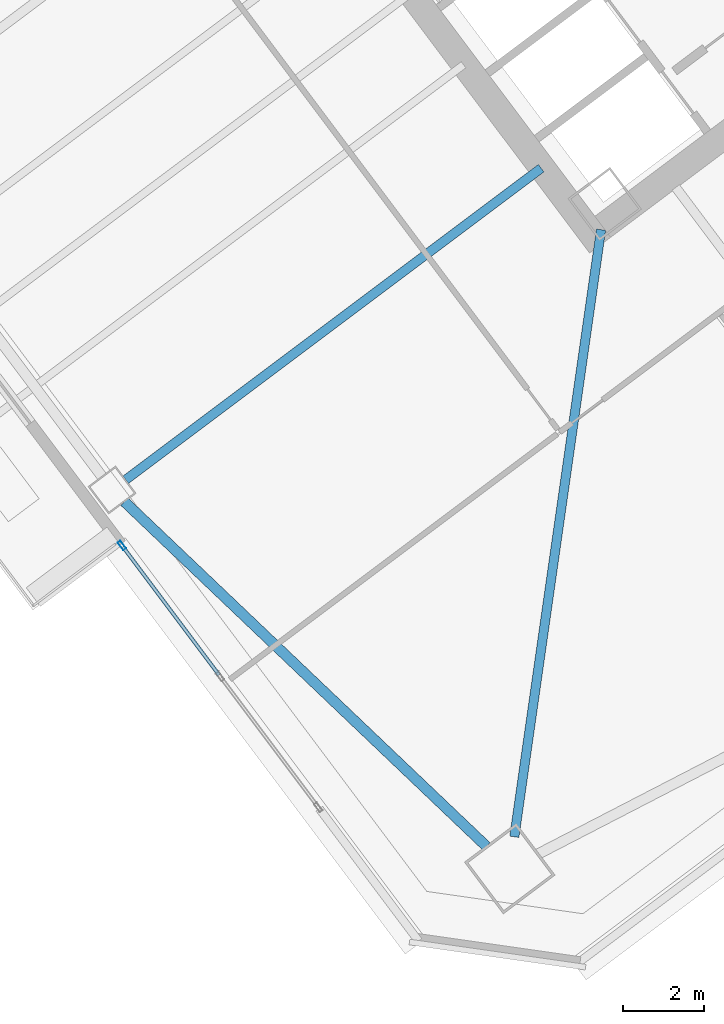
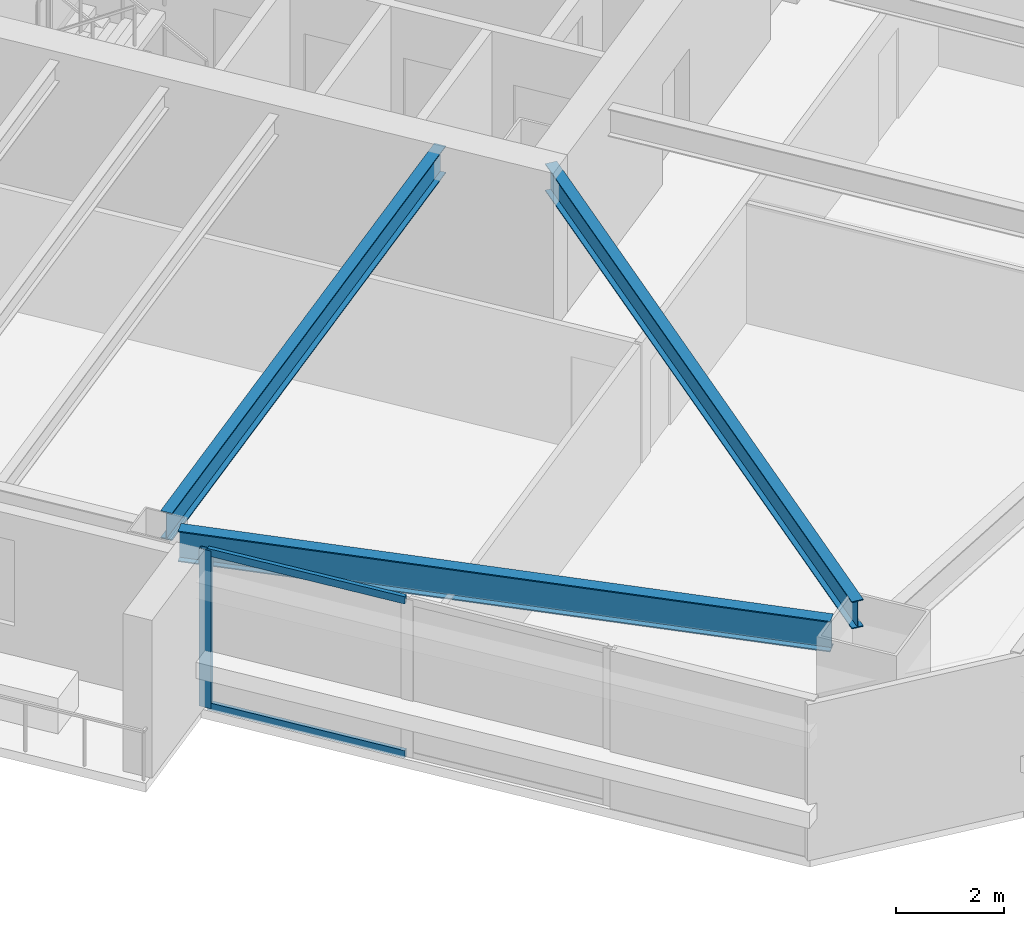
# One storey, part 20 of 46: 3 beams, 3 members, 1 element without a shape of its own.
"""IFC4 building model written with IfcOpenShell, lengths in metres."""

from ifc_helpers import new_model, si_unit, direction, frame, origin, origin_2d, place, context, subcontext, project, spatial, hollow_rectangle, i_section, extrude, material, material_profile, profile_set, type_object, element, aggregate, save


model = new_model("IFC4")

# Units and contexts
model_context = context("Model", 3, precision=1e-05, world=origin(), true_north=direction((0.0, 1.0)))
body_context = subcontext(model_context, "Body", "Model", "MODEL_VIEW")
ifc_project = project(units=[si_unit("LENGTHUNIT", "METRE"), si_unit("AREAUNIT", "SQUARE_METRE"), si_unit("VOLUMEUNIT", "CUBIC_METRE"), si_unit("PLANEANGLEUNIT", "RADIAN"), si_unit("MASSUNIT", "GRAM", prefix="KILO")], contexts=[model_context])

# Site, building, storey
site_placement = place(None, origin())
site = spatial("IfcSite", under=ifc_project, at=site_placement, CompositionType="ELEMENT")
building_placement = place(site_placement, origin())
building = spatial("IfcBuilding", under=site, at=building_placement, Name="Tashvorn Skyway Center", CompositionType="ELEMENT")
storey_placement = place(building_placement, frame((0.0, 0.0, 60.10009765625)))
storey = spatial("IfcBuildingStorey", under=building, at=storey_placement, Name="L15", CompositionType="ELEMENT", Elevation=60.10009765625)

# Beams
ifc_material_1 = material(Name="Steel ASTM A992 Grade 50", Category="steel")
ifc_material_profile_1 = material_profile(ifc_material_1, i_section(OverallWidth=0.22998046875, OverallDepth=0.616943359375, WebThickness=0.01318359375, FlangeThickness=0.022216796875, at=origin_2d()), Name="W24X94")
ifc_profile_set_1 = profile_set([ifc_material_profile_1], Name="Steel ASTM A992 Grade 50")
beam_type_1 = type_object("IfcBeamType", Name="BM-BEAM-W24X94", PredefinedType="BEAM", material=ifc_profile_set_1)
beam_1_placement = place(storey_placement, frame((110.3525390625, 6.467041015625, 3.04150390625), z_axis=(0.141414599991, 0.989950458816, 0.0), x_axis=(-0.989950458816, 0.141414599991, 0.0)))
element("IfcBeam", 1, at=beam_1_placement, inside=storey, type_object=beam_type_1, Name="Tower 2 L15 Primary Floor Girder MC-SW", PredefinedType="BEAM", context=body_context, shape_type="SweptSolid", body=[
    extrude(i_section(OverallWidth=0.22998046875, OverallDepth=0.616943359375, WebThickness=0.01318359375, FlangeThickness=0.022216796875, at=origin_2d()), origin(), (0.0, 0.0, 1.0), 15.177001953125),
])
beam_2_placement = place(storey_placement, frame((100.736083984375, 15.302001953125, 3.04150390625), z_axis=(0.800002279907, 0.599996960112, 0.0), x_axis=(-0.599996960112, 0.800002279907, 0.0)))
element("IfcBeam", 2, at=beam_2_placement, inside=storey, type_object=beam_type_1, Name="Tower 2 L15 Primary Floor Girder FC-W2", PredefinedType="BEAM", context=body_context, shape_type="SweptSolid", body=[
    extrude(i_section(OverallWidth=0.22998046875, OverallDepth=0.616943359375, WebThickness=0.01318359375, FlangeThickness=0.022216796875, at=origin_2d()), origin(), (0.0, 0.0, 1.0), 12.85009765625),
])
ifc_material_profile_2 = material_profile(ifc_material_1, i_section(OverallWidth=0.256103515625, OverallDepth=0.693115234375, WebThickness=0.014404296875, FlangeThickness=0.023681640625, at=origin_2d()), Name="W27X114")
ifc_profile_set_2 = profile_set([ifc_material_profile_2], Name="Steel ASTM A992 Grade 50")
beam_type_2 = type_object("IfcBeamType", Name="BM-SPANDREL-W27X114", PredefinedType="SPANDREL", material=ifc_profile_set_2)
beam_3_placement = place(storey_placement, frame((100.7041015625, 14.76025390625, 3.00341796875), z_axis=(0.724200339835, -0.689589637236, 0.0), x_axis=(0.689589637236, 0.724200339835, 0.0)))
element("IfcBeam", 3, at=beam_3_placement, inside=storey, type_object=beam_type_2, Name="Tower 2 L15 Spandrel Beam 12", PredefinedType="SPANDREL", context=body_context, shape_type="SweptSolid", body=[
    extrude(i_section(OverallWidth=0.256103515625, OverallDepth=0.693115234375, WebThickness=0.014404296875, FlangeThickness=0.023681640625, at=origin_2d()), origin(), (0.0, 0.0, 1.0), 12.37255859375),
])

# Curtain wall, members
ifc_material_2 = material(Name="Thermally broken bronze-anodized aluminium 6063-T6", Category="aluminium")
curtain_wall_type = type_object("IfcCurtainWallType", Name="CW-CW-Z1", PredefinedType="NOTDEFINED", material=ifc_material_2)
curtain_wall_placement = place(storey_placement, origin())
curtain_wall = element("IfcCurtainWall", 4, at=curtain_wall_placement, inside=storey, type_object=curtain_wall_type, Name="Tower 2 L15 West Curtain Wall L Glazing Group 1", PredefinedType="NOTDEFINED")
ifc_material_profile_3 = material_profile(ifc_material_2, hollow_rectangle(XDim=0.0849609375, YDim=0.239990234375, WallThickness=0.0048828125, at=origin_2d()), Name="ALU-MULL-85x240")
ifc_profile_set_3 = profile_set([ifc_material_profile_3], Name="Thermally broken bronze-anodized aluminium 6063-T6")
member_type_1 = type_object("IfcMemberType", Name="CWM-CW-Z1", PredefinedType="MULLION", material=ifc_profile_set_3)
member_1_placement = place(storey_placement, frame((100.6416015625, 13.677978515625, 0.0), z_axis=(0.0, 0.0, 1.0), x_axis=(-0.799998534192, -0.600001954406, 0.0)))
member_1 = element("IfcMember", 5, at=member_1_placement, type_object=member_type_1, Name="CW-Z1 mullion 3", PredefinedType="MULLION", context=body_context, shape_type="SweptSolid", body=[
    extrude(hollow_rectangle(XDim=0.0849609375, YDim=0.239990234375, WallThickness=0.0048828125, at=origin_2d()), origin(), (0.0, 0.0, 1.0), 3.5498046875),
])
ifc_material_profile_4 = material_profile(ifc_material_2, hollow_rectangle(XDim=0.0849609375, YDim=0.1650390625, WallThickness=0.0048828125, at=origin_2d()), Name="ALU-TRAN-85x165")
ifc_profile_set_4 = profile_set([ifc_material_profile_4], Name="Thermally broken bronze-anodized aluminium 6063-T6")
member_type_2 = type_object("IfcMemberType", Name="CWT-CW-Z1", PredefinedType="USERDEFINED", material=ifc_profile_set_4)
member_2_placement = place(storey_placement, frame((103.04638671875, 10.471435546875, 0.04248046875), z_axis=(-0.599990149921, 0.800007387464, 0.0), x_axis=(-0.800007387464, -0.599990149921, 0.0)))
member_2 = element("IfcMember", 6, at=member_2_placement, type_object=member_type_2, Name="CW-Z1 transom 2.1", ObjectType="TRANSOM", PredefinedType="USERDEFINED", context=body_context, shape_type="SweptSolid", body=[
    extrude(hollow_rectangle(XDim=0.0849609375, YDim=0.1650390625, WallThickness=0.0048828125, at=origin_2d()), origin(), (0.0, 0.0, 1.0), 3.9658203125),
])
member_3_placement = place(storey_placement, frame((103.04638671875, 10.471435546875, 3.50732421875), z_axis=(-0.599990149921, 0.800007387464, 0.0), x_axis=(-0.800007387464, -0.599990149921, 0.0)))
member_3 = element("IfcMember", 7, at=member_3_placement, type_object=member_type_2, Name="CW-Z1 transom 2.2", ObjectType="TRANSOM", PredefinedType="USERDEFINED", context=body_context, shape_type="SweptSolid", body=[
    extrude(hollow_rectangle(XDim=0.0849609375, YDim=0.1650390625, WallThickness=0.0048828125, at=origin_2d()), origin(), (0.0, 0.0, 1.0), 3.9658203125),
])
aggregate(curtain_wall, [member_1, member_2, member_3])

save(model, "model.ifc")
